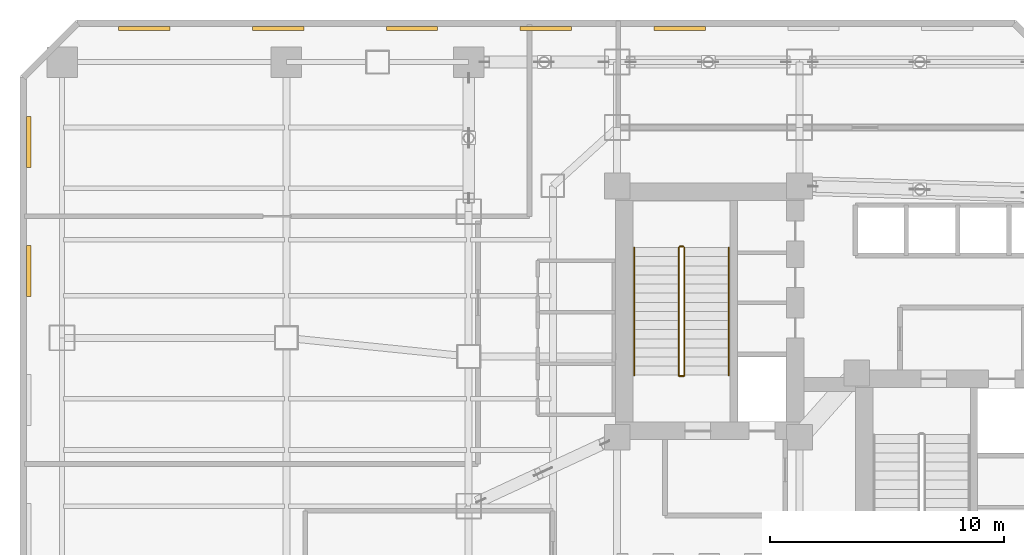
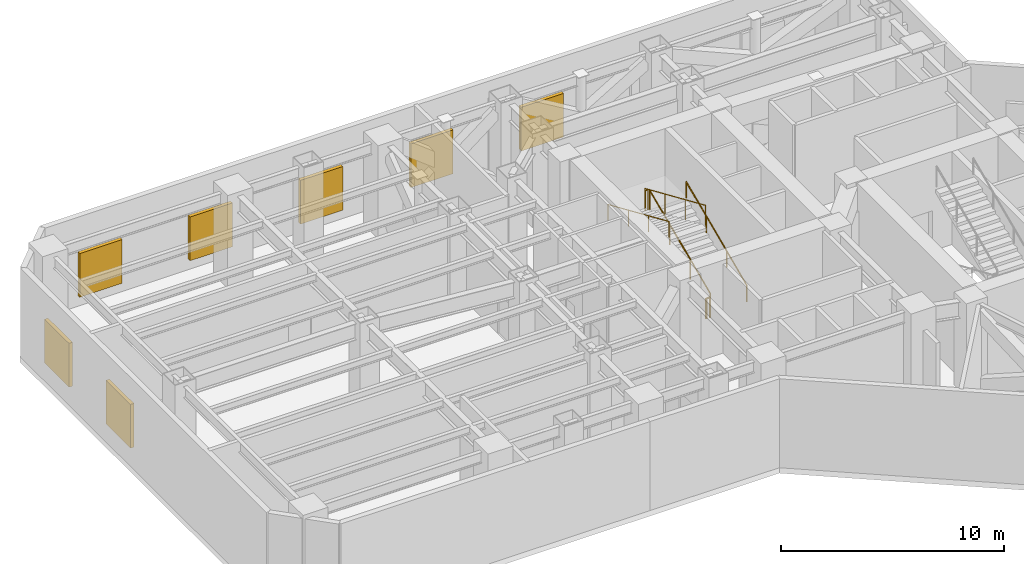
# One storey, part 15 of 16: 7 railings, 7 shading devices.
"""IFC4 building model written with IfcOpenShell, lengths in metres."""

from ifc_helpers import new_model, si_unit, direction, frame, origin, origin_2d, place, context, subcontext, project, spatial, rectangle, circle, extrude, material, layer, layer_set, type_object, element, save


model = new_model("IFC4")

# Units and contexts
model_context = context("Model", 3, precision=1e-05, world=origin(), true_north=direction((0.0, 1.0)))
body_context = subcontext(model_context, "Body", "Model", "MODEL_VIEW")
ifc_project = project(units=[si_unit("LENGTHUNIT", "METRE"), si_unit("AREAUNIT", "SQUARE_METRE"), si_unit("VOLUMEUNIT", "CUBIC_METRE"), si_unit("PLANEANGLEUNIT", "RADIAN"), si_unit("MASSUNIT", "GRAM", prefix="KILO")], contexts=[model_context])

# Site, building, storey
site_placement = place(None, origin())
site = spatial("IfcSite", under=ifc_project, at=site_placement, CompositionType="ELEMENT")
building_placement = place(site_placement, origin())
building = spatial("IfcBuilding", under=site, at=building_placement, Name="Hatsunagi Terrace Concourse", CompositionType="ELEMENT")
storey_placement = place(building_placement, frame((0.0, 0.0, 27.0)))
storey = spatial("IfcBuildingStorey", under=building, at=storey_placement, Name="L06", CompositionType="ELEMENT", Elevation=27.0)

# Shading devices
ifc_material_1 = material(Name="Powder-Coated Aluminium Acoustic Louvre", Category="aluminium")
ifc_layer_1 = layer(ifc_material_1, 0.179931640625)
ifc_layer_set_1 = layer_set([ifc_layer_1], Name="PlantAcousticLouvre_180")
shading_device_type = type_object("IfcShadingDeviceType", Name="PlantAcousticLouvre_180", PredefinedType="JALOUSIE", material=ifc_layer_set_1)
for number, where, z_axis, x_axis, name in (
    (1, (0.3701171875, 39.659912109375, 0.60009765625), (0.0, 0.0, 1.0), (0.0, 1.0, 0.0), "Plant Acoustic Louvre L06-09-3"),
    (2, (0.3701171875, 45.180908203125, 0.60009765625), (0.0, 0.0, 1.0), (0.0, 1.0, 0.0), "Plant Acoustic Louvre L06-09-4"),
    (3, (5.321044921875, 50.030029296875, 0.60009765625), (0.0, 0.0, 1.0), (1.0, 0.0, 0.0), "Plant Acoustic Louvre L06-11-1"),
    (4, (11.047119140625, 50.030029296875, 0.60009765625), (0.0, 0.0, 1.0), (1.0, 0.0, 0.0), "Plant Acoustic Louvre L06-11-2"),
    (5, (16.77392578125, 50.030029296875, 0.60009765625), (0.0, 0.0, 1.0), (1.0, 0.0, 0.0), "Plant Acoustic Louvre L06-11-3"),
    (6, (22.5, 50.030029296875, 0.60009765625), (0.0, 0.0, 1.0), (1.0, 0.0, 0.0), "Plant Acoustic Louvre L06-11-4"),
    (7, (28.22607421875, 50.030029296875, 0.60009765625), (0.0, 0.0, 1.0), (1.0, 0.0, 0.0), "Plant Acoustic Louvre L06-11-5"),
):
    element("IfcShadingDevice", number, at=place(storey_placement, frame(where, z_axis=z_axis, x_axis=x_axis)), inside=storey, type_object=shading_device_type, Name=name, PredefinedType="JALOUSIE", context=body_context, shape_type="SweptSolid", body=[
        extrude(rectangle(XDim=2.199951171875, YDim=0.179931640625, at=origin_2d()), origin(), (0.0, 0.0, 1.0), 2.39990234375),
    ])

# Railings
ifc_material_2 = material(Name="Stainless steel", Category="steel")
ifc_layer_2 = layer(ifc_material_2, 0.044921875)
ifc_layer_set_2 = layer_set([ifc_layer_2], Name="StairPitchHandrail_Tower2000")
railing_type_1 = type_object("IfcRailingType", Name="StairPitchHandrail_Tower2000", PredefinedType="HANDRAIL", material=ifc_layer_set_2)
railing_1_placement = place(storey_placement, frame((30.330078125, 35.199951171875, 0.169921875)))
element("IfcRailing", 8, at=railing_1_placement, inside=storey, type_object=railing_type_1, Name="L06 ST-A stair handrail 1", PredefinedType="HANDRAIL", context=body_context, shape_type="SweptSolid", body=[
    extrude(circle(Radius=0.02392578125, at=origin_2d()), frame((0.0, 0.0, 0.8759765625), z_axis=(0.0, 0.916687109865, 0.399605733951), x_axis=(-1.0, 0.0, 0.0)), (0.0, 0.0, 1.0), 5.956298828125),
    extrude(circle(Radius=0.02099609375, at=origin_2d()), origin(), (0.0, 0.0, 1.0), 0.851806640625),
    extrude(circle(Radius=0.02099609375, at=origin_2d()), frame((0.0, 1.820068359375, 0.79345703125)), (0.0, 0.0, 1.0), 0.851806640625),
    extrude(circle(Radius=0.02099609375, at=origin_2d()), frame((0.0, 3.639892578125, 1.586669921875)), (0.0, 0.0, 1.0), 0.851806640625),
    extrude(circle(Radius=0.02099609375, at=origin_2d()), frame((0.0, 5.4599609375, 2.380126953125)), (0.0, 0.0, 1.0), 0.851806640625),
])
railing_2_placement = place(storey_placement, frame((26.280029296875, 40.659912109375, 2.719970703125)))
element("IfcRailing", 9, at=railing_2_placement, inside=storey, type_object=railing_type_1, Name="L06 ST-A stair handrail 2", PredefinedType="HANDRAIL", context=body_context, shape_type="SweptSolid", body=[
    extrude(circle(Radius=0.02392578125, at=origin_2d()), frame((0.0, 0.0, 0.8759765625), z_axis=(0.0, -0.916687109865, 0.399605733951), x_axis=(1.0, 0.0, 0.0)), (0.0, 0.0, 1.0), 5.956298828125),
    extrude(circle(Radius=0.02099609375, at=origin_2d()), origin(), (0.0, 0.0, 1.0), 0.851806640625),
    extrude(circle(Radius=0.02099609375, at=origin_2d()), frame((0.0, -1.820068359375, 0.79345703125)), (0.0, 0.0, 1.0), 0.851806640625),
    extrude(circle(Radius=0.02099609375, at=origin_2d()), frame((0.0, -3.639892578125, 1.586669921875)), (0.0, 0.0, 1.0), 0.851806640625),
    extrude(circle(Radius=0.02099609375, at=origin_2d()), frame((0.0, -5.4599609375, 2.380126953125)), (0.0, 0.0, 1.0), 0.851806640625),
])
ifc_material_3 = material(Name="Stainless steel", Category="steel")
ifc_layer_3 = layer(ifc_material_3, 0.06005859375)
ifc_layer_set_3 = layer_set([ifc_layer_3], Name="StairWellGuard_Tower2000")
railing_type_2 = type_object("IfcRailingType", Name="StairWellGuard_Tower2000", PredefinedType="BALUSTRADE", material=ifc_layer_set_3)
railing_3_placement = place(storey_placement, frame((28.429931640625, 35.199951171875, 0.169921875)))
element("IfcRailing", 10, at=railing_3_placement, inside=storey, type_object=railing_type_2, Name="L06 ST-A stair guard 1", PredefinedType="BALUSTRADE", context=body_context, shape_type="SweptSolid", body=[
    extrude(circle(Radius=0.02392578125, at=origin_2d()), frame((0.0, 0.0, 1.09619140625), z_axis=(0.0, 0.916687109865, 0.399605733951), x_axis=(-1.0, 0.0, 0.0)), (0.0, 0.0, 1.0), 5.956298828125),
    extrude(circle(Radius=0.02099609375, at=origin_2d()), origin(), (0.0, 0.0, 1.0), 1.072021484375),
    extrude(circle(Radius=0.02099609375, at=origin_2d()), frame((0.0, 1.820068359375, 0.79345703125)), (0.0, 0.0, 1.0), 1.072021484375),
    extrude(circle(Radius=0.02099609375, at=origin_2d()), frame((0.0, 3.639892578125, 1.586669921875)), (0.0, 0.0, 1.0), 1.072021484375),
    extrude(circle(Radius=0.02099609375, at=origin_2d()), frame((0.0, 5.4599609375, 2.380126953125)), (0.0, 0.0, 1.0), 1.072021484375),
])
railing_4_placement = place(storey_placement, frame((28.3798828125, 40.7099609375, 2.550048828125)))
element("IfcRailing", 11, at=railing_4_placement, inside=storey, type_object=railing_type_2, Name="L06 ST-A stair guard 2", PredefinedType="BALUSTRADE", context=body_context, shape_type="SweptSolid", body=[
    extrude(circle(Radius=0.02392578125, at=origin_2d()), frame((0.0, 0.0, 1.09619140625), z_axis=(-1.0, 0.0, 0.0), x_axis=(0.0, -1.0, 0.0)), (0.0, 0.0, 1.0), 0.14990234375),
    extrude(circle(Radius=0.02099609375, at=origin_2d()), origin(), (0.0, 0.0, 1.0), 1.072021484375),
    extrude(circle(Radius=0.02099609375, at=origin_2d()), frame((-0.14990234375, 0.0, 0.0)), (0.0, 0.0, 1.0), 1.072021484375),
])
railing_5_placement = place(storey_placement, frame((28.179931640625, 40.659912109375, 2.719970703125)))
element("IfcRailing", 12, at=railing_5_placement, inside=storey, type_object=railing_type_2, Name="L06 ST-A stair guard 3", PredefinedType="BALUSTRADE", context=body_context, shape_type="SweptSolid", body=[
    extrude(circle(Radius=0.02392578125, at=origin_2d()), frame((0.0, 0.0, 1.09619140625), z_axis=(0.0, -0.916687109865, 0.399605733951), x_axis=(1.0, 0.0, 0.0)), (0.0, 0.0, 1.0), 5.956298828125),
    extrude(circle(Radius=0.02099609375, at=origin_2d()), origin(), (0.0, 0.0, 1.0), 1.072021484375),
    extrude(circle(Radius=0.02099609375, at=origin_2d()), frame((0.0, -1.820068359375, 0.79345703125)), (0.0, 0.0, 1.0), 1.072021484375),
    extrude(circle(Radius=0.02099609375, at=origin_2d()), frame((0.0, -3.639892578125, 1.586669921875)), (0.0, 0.0, 1.0), 1.072021484375),
    extrude(circle(Radius=0.02099609375, at=origin_2d()), frame((0.0, -5.4599609375, 2.380126953125)), (0.0, 0.0, 1.0), 1.072021484375),
])
railing_6_placement = place(storey_placement, frame((28.3798828125, 35.14990234375, 0.0)))
element("IfcRailing", 13, at=railing_6_placement, inside=storey, type_object=railing_type_2, Name="L06 ST-A stair guard 4", PredefinedType="BALUSTRADE", context=body_context, shape_type="SweptSolid", body=[
    extrude(circle(Radius=0.02392578125, at=origin_2d()), frame((0.0, 0.0, 1.09619140625), z_axis=(-1.0, 0.0, 0.0), x_axis=(0.0, -1.0, 0.0)), (0.0, 0.0, 1.0), 0.14990234375),
    extrude(circle(Radius=0.02099609375, at=origin_2d()), origin(), (0.0, 0.0, 1.0), 1.072021484375),
    extrude(circle(Radius=0.02099609375, at=origin_2d()), frame((-0.14990234375, 0.0, 0.0)), (0.0, 0.0, 1.0), 1.072021484375),
])
ifc_material_4 = material(Name="Stainless Steel SUS316 Post-and-Rail Guard", Category="steel")
ifc_layer_4 = layer(ifc_material_4, 0.080078125)
ifc_layer_set_4 = layer_set([ifc_layer_4], Name="TerracePlantedGuardRail_1200")
railing_type_3 = type_object("IfcRailingType", Name="TerracePlantedGuardRail_1200", PredefinedType="GUARDRAIL", material=ifc_layer_set_4)
railing_7_placement = place(storey_placement, frame((28.179931640625, 35.179931640625, 0.0)))
element("IfcRailing", 14, at=railing_7_placement, inside=storey, type_object=railing_type_3, Name="Stair ST-A Well Closure Guard L06", PredefinedType="GUARDRAIL", context=body_context, shape_type="SweptSolid", body=[
    extrude(circle(Radius=0.02392578125, at=origin_2d()), frame((0.0, 0.0, 1.09619140625), z_axis=(1.0, 0.0, 0.0), x_axis=(0.0, 1.0, 0.0)), (0.0, 0.0, 1.0), 0.25),
    extrude(circle(Radius=0.02099609375, at=origin_2d()), origin(), (0.0, 0.0, 1.0), 1.072021484375),
    extrude(circle(Radius=0.02099609375, at=origin_2d()), frame((0.25, 0.0, 0.0)), (0.0, 0.0, 1.0), 1.072021484375),
])

save(model, "model.ifc")
